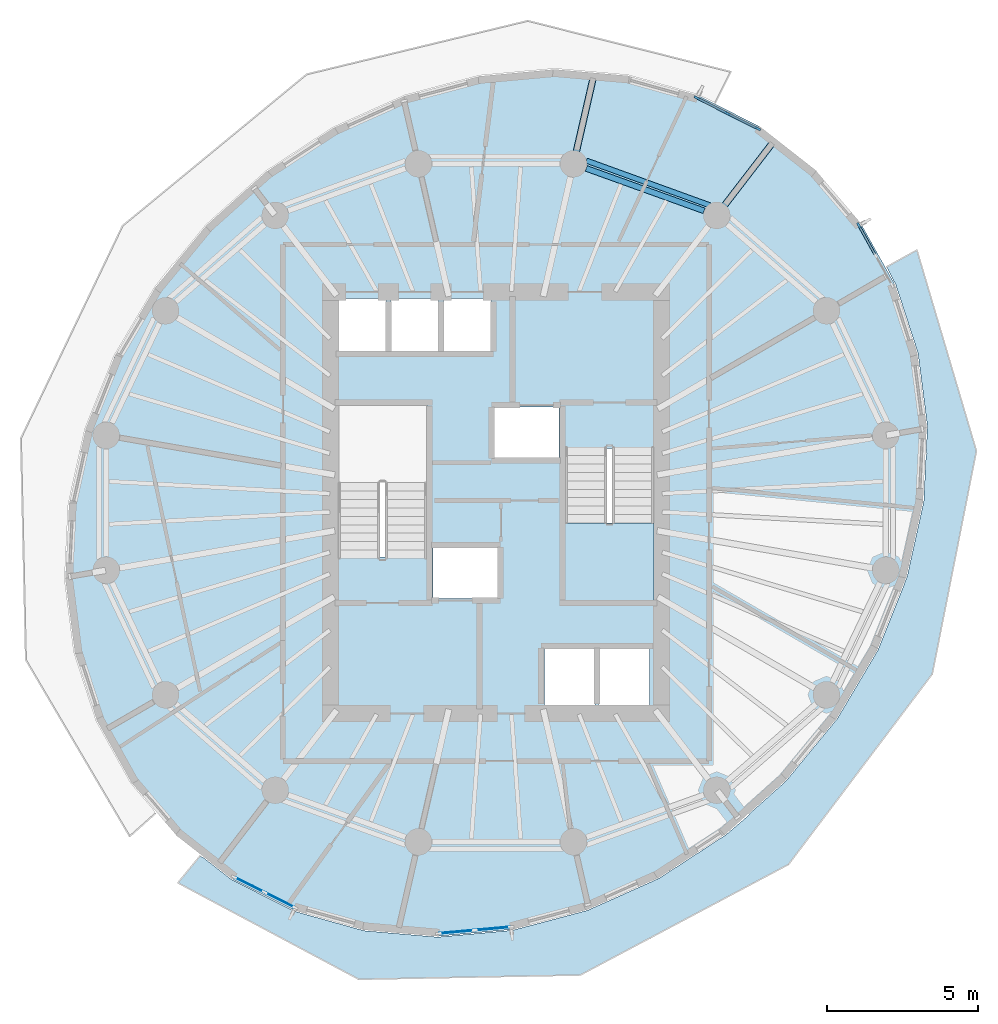
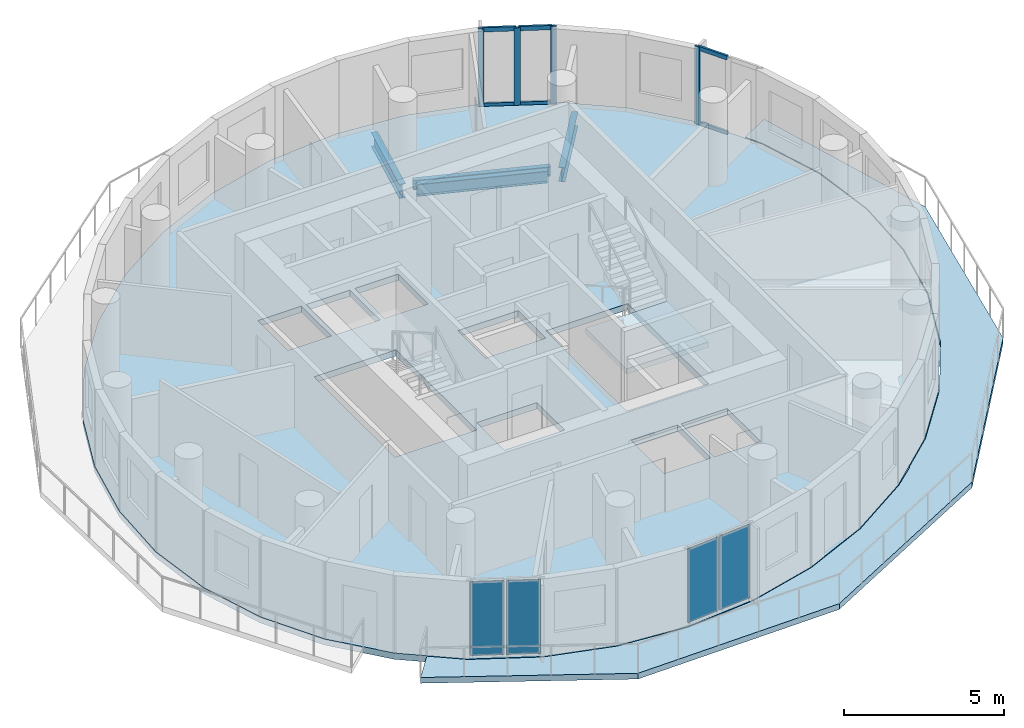
# One storey, part 3 of 10: 10 members, 4 beams, 4 plates, 3 slabs, 5 elements without a shape of their own.
"""IFC4 building model written with IfcOpenShell, lengths in metres."""

from ifc_helpers import new_model, si_unit, direction, frame, origin, origin_2d, place, context, subcontext, project, spatial, polyline, rectangle, i_section, outline, extrude, material, layer, layer_set, material_profile, profile_set, type_object, element, aggregate, save


model = new_model("IFC4")

# Units and contexts
model_context = context("Model", 3, precision=1e-05, world=origin(), true_north=direction((0.0, 1.0)))
body_context = subcontext(model_context, "Body", "Model", "MODEL_VIEW")
ifc_project = project(units=[si_unit("LENGTHUNIT", "METRE"), si_unit("AREAUNIT", "SQUARE_METRE"), si_unit("VOLUMEUNIT", "CUBIC_METRE"), si_unit("PLANEANGLEUNIT", "RADIAN"), si_unit("MASSUNIT", "GRAM", prefix="KILO")], contexts=[model_context])

# Site, building, storey
site_placement = place(None, origin())
site = spatial("IfcSite", under=ifc_project, at=site_placement, CompositionType="ELEMENT")
building_placement = place(site_placement, origin())
building = spatial("IfcBuilding", under=site, at=building_placement, Name="Veldorim Arch Residences", CompositionType="ELEMENT")
storey_placement = place(building_placement, frame((0.0, 0.0, 191.840087890625)))
storey = spatial("IfcBuildingStorey", under=building, at=storey_placement, Name="L57", CompositionType="ELEMENT", Elevation=191.840087890625)

# Beams
ifc_material_1 = material(Name="Steel S355", Category="steel")
ifc_material_profile_1 = material_profile(ifc_material_1, i_section(OverallWidth=0.2119140625, OverallDepth=0.54443359375, WebThickness=0.0126953125, FlangeThickness=0.021240234375, at=origin_2d()), Name="UB533x210x122")
ifc_profile_set_1 = profile_set([ifc_material_profile_1], Name="Steel S355")
beam_type_1 = type_object("IfcBeamType", Name="Structural Steel Beam UB533x210x122", PredefinedType="BEAM", material=ifc_profile_set_1)
beam_1_placement = place(storey_placement, frame((39.345703125, 33.561279296875, -0.512451171875), z_axis=(0.609236633361, 0.792988476947, 0.0), x_axis=(-0.792988476947, 0.609236633361, 0.0)))
element("IfcBeam", 1, at=beam_1_placement, inside=storey, type_object=beam_type_1, Name="L57 radial edge cantilever girder 03", PredefinedType="BEAM", context=body_context, shape_type="SweptSolid", body=[
    extrude(i_section(OverallWidth=0.2119140625, OverallDepth=0.54443359375, WebThickness=0.0126953125, FlangeThickness=0.021240234375, at=origin_2d()), origin(), (0.0, 0.0, 1.0), 3.08642578125),
])
beam_2_placement = place(storey_placement, frame((34.57958984375, 35.27880859375, -0.512451171875), z_axis=(0.222962695029, 0.974826977789, 0.0), x_axis=(-0.974826977789, 0.222962695029, 0.0)))
element("IfcBeam", 2, at=beam_2_placement, inside=storey, type_object=beam_type_1, Name="L57 radial edge cantilever girder 04", PredefinedType="BEAM", context=body_context, shape_type="SweptSolid", body=[
    extrude(i_section(OverallWidth=0.2119140625, OverallDepth=0.54443359375, WebThickness=0.0126953125, FlangeThickness=0.021240234375, at=origin_2d()), origin(), (0.0, 0.0, 1.0), 2.98046875),
])
ifc_material_2 = material(Name="Steel S355", Category="steel")
ifc_material_profile_2 = material_profile(ifc_material_2, i_section(OverallWidth=0.172119140625, OverallDepth=0.35791015625, WebThickness=0.008056640625, FlangeThickness=0.012939453125, at=origin_2d()), Name="UB356x171x57")
ifc_profile_set_2 = profile_set([ifc_material_profile_2], Name="Steel S355")
beam_type_2 = type_object("IfcBeamType", Name="Structural Steel Spandrel UB356x171x57", PredefinedType="SPANDREL", material=ifc_profile_set_2)
beam_3_placement = place(storey_placement, frame((39.112060546875, 33.87646484375, -0.439208984375), z_axis=(-0.940164695555, 0.340720332871, 0.0), x_axis=(-0.340720332871, -0.940164695555, 0.0)))
element("IfcBeam", 3, at=beam_3_placement, inside=storey, type_object=beam_type_2, Name="L57 perimeter chord spandrel beam 03", PredefinedType="SPANDREL", context=body_context, shape_type="SweptSolid", body=[
    extrude(i_section(OverallWidth=0.172119140625, OverallDepth=0.35791015625, WebThickness=0.008056640625, FlangeThickness=0.012939453125, at=origin_2d()), origin(), (0.0, 0.0, 1.0), 4.370849609375),
])
ifc_material_3 = material(Name="Steel S355", Category="steel")
ifc_material_profile_3 = material_profile(ifc_material_3, i_section(OverallWidth=0.19140625, OverallDepth=0.4599609375, WebThickness=0.010009765625, FlangeThickness=0.01611328125, at=origin_2d()), Name="UB457x191x82")
ifc_profile_set_3 = profile_set([ifc_material_profile_3], Name="Steel S355")
beam_type_3 = type_object("IfcBeamType", Name="Structural Steel Spandrel UB457x191x82", PredefinedType="SPANDREL", material=ifc_profile_set_3)
beam_4_placement = place(storey_placement, frame((38.91015625, 33.69775390625, -0.469970703125), z_axis=(-0.940811035395, 0.338931550137, 0.0), x_axis=(-0.338931550137, -0.940811035395, 0.0)))
element("IfcBeam", 4, at=beam_4_placement, inside=storey, type_object=beam_type_3, Name="L57 perimeter ring tie beam 03", PredefinedType="SPANDREL", context=body_context, shape_type="SweptSolid", body=[
    extrude(i_section(OverallWidth=0.19140625, OverallDepth=0.4599609375, WebThickness=0.010009765625, FlangeThickness=0.01611328125, at=origin_2d()), origin(), (0.0, 0.0, 1.0), 4.15771484375),
])

# Curtain wall, members
ifc_material_4 = material(Name="Aluminium", Category="aluminium")
curtain_wall_type = type_object("IfcCurtainWallType", Name="Zone 4 High-Altitude Unitised Curtain Wall", PredefinedType="NOTDEFINED", material=ifc_material_4)
curtain_wall_1_placement = place(storey_placement, origin())
curtain_wall_1 = element("IfcCurtainWall", 5, at=curtain_wall_1_placement, inside=storey, type_object=curtain_wall_type, Name="L57 unitised curtain wall bay 02", PredefinedType="NOTDEFINED")
ifc_material_5 = material(Name="Aluminium", Category="aluminium")
ifc_material_profile_4 = material_profile(ifc_material_5, rectangle(XDim=0.074951171875, YDim=0.195068359375, at=origin_2d()), Name="ALU_MUL_75x195")
ifc_profile_set_4 = profile_set([ifc_material_profile_4], Name="Aluminium")
member_type_1 = type_object("IfcMemberType", Name="Zone 4 High-Altitude Unitised Curtain Wall Mullion 75x195", PredefinedType="MULLION", material=ifc_profile_set_4)
member_1_placement = place(storey_placement, frame((38.669189453125, 37.446533203125, 0.0), z_axis=(0.0, 0.0, 1.0), x_axis=(0.448866145175, 0.893599006107, 0.0)))
member_1 = element("IfcMember", 6, at=member_1_placement, type_object=member_type_1, Name="CW-Z4 mullion 1", PredefinedType="MULLION", context=body_context, shape_type="SweptSolid", body=[
    extrude(rectangle(XDim=0.074951171875, YDim=0.195068359375, at=origin_2d()), origin(), (0.0, 0.0, 1.0), 2.9599609375),
])
member_2_placement = place(storey_placement, frame((39.68408203125, 36.9365234375, 0.0), z_axis=(0.0, 0.0, 1.0), x_axis=(0.448866145175, 0.893599006107, 0.0)))
member_2 = element("IfcMember", 7, at=member_2_placement, type_object=member_type_1, Name="CW-Z4 mullion 2", PredefinedType="MULLION", context=body_context, shape_type="SweptSolid", body=[
    extrude(rectangle(XDim=0.074951171875, YDim=0.195068359375, at=origin_2d()), origin(), (0.0, 0.0, 1.0), 2.9599609375),
])
member_3_placement = place(storey_placement, frame((40.69921875, 36.4267578125, 0.0), z_axis=(0.0, 0.0, 1.0), x_axis=(0.448866145175, 0.893599006107, 0.0)))
member_3 = element("IfcMember", 8, at=member_3_placement, type_object=member_type_1, Name="CW-Z4 mullion 3", PredefinedType="MULLION", context=body_context, shape_type="SweptSolid", body=[
    extrude(rectangle(XDim=0.074951171875, YDim=0.195068359375, at=origin_2d()), origin(), (0.0, 0.0, 1.0), 2.9599609375),
])

# Curtain wall, member
curtain_wall_2_placement = place(storey_placement, origin())
curtain_wall_2 = element("IfcCurtainWall", 9, at=curtain_wall_2_placement, inside=storey, type_object=curtain_wall_type, Name="L57 unitised curtain wall bay 35", PredefinedType="NOTDEFINED")
member_4_placement = place(storey_placement, frame((44.051513671875, 33.2119140625, 0.0), z_axis=(0.0, 0.0, 1.0), x_axis=(0.874022577874, 0.485885308861, 0.0)))
member_4 = element("IfcMember", 10, at=member_4_placement, type_object=member_type_1, Name="CW-Z4 mullion 1", PredefinedType="MULLION", context=body_context, shape_type="SweptSolid", body=[
    extrude(rectangle(XDim=0.074951171875, YDim=0.195068359375, at=origin_2d()), origin(), (0.0, 0.0, 1.0), 2.9599609375),
])

# Member
ifc_material_6 = material(Name="Aluminium", Category="aluminium")
ifc_material_profile_5 = material_profile(ifc_material_6, rectangle(XDim=0.074951171875, YDim=0.1650390625, at=origin_2d()), Name="ALU_TRN_75x165")
ifc_profile_set_5 = profile_set([ifc_material_profile_5], Name="Aluminium")
member_type_2 = type_object("IfcMemberType", Name="Zone 4 High-Altitude Unitised Curtain Wall Transom 75x165", PredefinedType="USERDEFINED", material=ifc_profile_set_5)
member_5_placement = place(storey_placement, frame((38.70263671875, 37.4296875, 0.037353515625), z_axis=(0.89355102998, -0.448961642929, 0.0), x_axis=(0.448961642929, 0.89355102998, 0.0)))
member_5 = element("IfcMember", 11, at=member_5_placement, type_object=member_type_2, Name="CW-Z4 transom 1.1", ObjectType="TRANSOM", PredefinedType="USERDEFINED", context=body_context, shape_type="SweptSolid", body=[
    extrude(rectangle(XDim=0.074951171875, YDim=0.1650390625, at=origin_2d()), origin(), (0.0, 0.0, 1.0), 1.06103515625),
])

member_6_placement = place(storey_placement, frame((38.70263671875, 37.4296875, 2.92236328125), z_axis=(0.89355102998, -0.448961642929, 0.0), x_axis=(0.448961642929, 0.89355102998, 0.0)))
member_6 = element("IfcMember", 12, at=member_6_placement, type_object=member_type_2, Name="CW-Z4 transom 1.2", ObjectType="TRANSOM", PredefinedType="USERDEFINED", context=body_context, shape_type="SweptSolid", body=[
    extrude(rectangle(XDim=0.074951171875, YDim=0.1650390625, at=origin_2d()), origin(), (0.0, 0.0, 1.0), 1.06103515625),
])

member_7_placement = place(storey_placement, frame((39.7177734375, 36.919677734375, 0.037353515625), z_axis=(0.893643337386, -0.448777879965, 0.0), x_axis=(0.448777879965, 0.893643337386, 0.0)))
member_7 = element("IfcMember", 13, at=member_7_placement, type_object=member_type_2, Name="CW-Z4 transom 2.1", ObjectType="TRANSOM", PredefinedType="USERDEFINED", context=body_context, shape_type="SweptSolid", body=[
    extrude(rectangle(XDim=0.074951171875, YDim=0.1650390625, at=origin_2d()), origin(), (0.0, 0.0, 1.0), 1.060791015625),
])

member_8_placement = place(storey_placement, frame((39.7177734375, 36.919677734375, 2.92236328125), z_axis=(0.893643337386, -0.448777879965, 0.0), x_axis=(0.448777879965, 0.893643337386, 0.0)))
member_8 = element("IfcMember", 14, at=member_8_placement, type_object=member_type_2, Name="CW-Z4 transom 2.2", ObjectType="TRANSOM", PredefinedType="USERDEFINED", context=body_context, shape_type="SweptSolid", body=[
    extrude(rectangle(XDim=0.074951171875, YDim=0.1650390625, at=origin_2d()), origin(), (0.0, 0.0, 1.0), 1.060791015625),
])

aggregate(curtain_wall_1, [member_1, member_2, member_3, member_5, member_6, member_7, member_8])

member_9_placement = place(storey_placement, frame((44.06982421875, 33.17919921875, 0.037353515625), z_axis=(0.485818780603, -0.874059558848, 0.0), x_axis=(0.874059558848, 0.485818780603, 0.0)))
member_9 = element("IfcMember", 15, at=member_9_placement, type_object=member_type_2, Name="CW-Z4 transom 1.1", ObjectType="TRANSOM", PredefinedType="USERDEFINED", context=body_context, shape_type="SweptSolid", body=[
    extrude(rectangle(XDim=0.074951171875, YDim=0.1650390625, at=origin_2d()), origin(), (0.0, 0.0, 1.0), 1.060791015625),
])

member_10_placement = place(storey_placement, frame((44.06982421875, 33.17919921875, 2.92236328125), z_axis=(0.485818780603, -0.874059558848, 0.0), x_axis=(0.874059558848, 0.485818780603, 0.0)))
member_10 = element("IfcMember", 16, at=member_10_placement, type_object=member_type_2, Name="CW-Z4 transom 1.2", ObjectType="TRANSOM", PredefinedType="USERDEFINED", context=body_context, shape_type="SweptSolid", body=[
    extrude(rectangle(XDim=0.074951171875, YDim=0.1650390625, at=origin_2d()), origin(), (0.0, 0.0, 1.0), 1.060791015625),
])

aggregate(curtain_wall_2, [member_4, member_9, member_10])

# Slab
ifc_material_7 = material(Name="Concrete C40/50", Category="concrete")
ifc_layer_1 = layer(ifc_material_7, 0.219970703125, Name="Planted Crescent Cantilever Balcony Slab 220")
ifc_layer_set_1 = layer_set([ifc_layer_1], Name="Concrete C40/50")
slab_type_1 = type_object("IfcSlabType", Name="Planted Crescent Cantilever Balcony Slab 220", PredefinedType="FLOOR", material=ifc_layer_set_1)
slab_1_placement = place(storey_placement, frame((0.0, 0.0, -0.219970703125)))
element("IfcSlab", 17, at=slab_1_placement, inside=storey, type_object=slab_type_1, Name="L57 planted crescent balcony slab B", PredefinedType="FLOOR", context=body_context, shape_type="SweptSolid", body=[
    extrude(outline(polyline([(22.285400390625, 12.21484375), (23.21337890625, 11.488525390625), (25.31494140625, 10.432861328125), (27.619384765625, 9.789794921875), (30.056884765625, 9.578369140625), (32.552978515625, 9.805419921875), (35.032470703125, 10.46337890625), (37.41943359375, 11.53271484375), (39.641845703125, 12.980712890625), (40.37158203125, 13.605224609375), (40.44677734375, 13.70166015625), (41.6318359375, 14.76318359375), (43.32958984375, 16.826416015625), (44.68310546875, 19.107421875), (45.651611328125, 21.537109375), (46.205322265625, 24.041748046875), (46.27783203125, 25.5263671875), (46.30859375, 25.648681640625), (46.288330078125, 25.74267578125), (46.32763671875, 26.54541015625), (46.014404296875, 28.9716796875), (45.275390625, 31.247314453125), (44.972900390625, 31.835693359375), (45.978515625, 32.393310546875), (47.95458984375, 25.723388671875), (46.487548828125, 18.31201171875), (41.7158203125, 11.99169921875), (34.799560546875, 8.318115234375), (27.44384765625, 8.176025390625), (21.435302734375, 11.379150390625), (22.165283203125, 12.267822265625), (22.285400390625, 12.21484375)])), origin(), (0.0, 0.0, 1.0), 0.219970703125),
])

# Stair, slab
ifc_material_8 = material(Name="Concrete C40/50", Category="concrete")
stair_type = type_object("IfcStairType", Name="Reinforced Concrete Dogleg Exit Staircase", PredefinedType="HALF_TURN_STAIR", material=ifc_material_8)
stair_placement = place(storey_placement, origin())
stair = element("IfcStair", 18, at=stair_placement, inside=storey, type_object=stair_type, Name="L57 Exit Staircase ST-2", PredefinedType="HALF_TURN_STAIR")
ifc_material_9 = material(Name="Concrete C40/50", Category="concrete")
ifc_layer_2 = layer(ifc_material_9, 0.199951171875, Name="Reinforced Concrete Stair Landing 200")
ifc_layer_set_2 = layer_set([ifc_layer_2], Name="Concrete C40/50")
slab_type_2 = type_object("IfcSlabType", Name="Reinforced Concrete Stair Landing 200", PredefinedType="LANDING", material=ifc_layer_set_2)
slab_2_placement = place(storey_placement, frame((0.0, 0.0, 1.39990234375)))
slab_2 = element("IfcSlab", 19, at=slab_2_placement, type_object=slab_type_2, Name="ST-2 landing 1", PredefinedType="LANDING", context=body_context, shape_type="SweptSolid", body=[
    extrude(outline(polyline([(34.2900390625, 23.330078125), (34.2900390625, 20.75), (37.25, 20.75), (37.25, 23.330078125), (34.2900390625, 23.330078125)])), origin(), (0.0, 0.0, 1.0), 0.199951171875),
])
aggregate(stair, [slab_2])

# Slab
ifc_material_10 = material(Name="Concrete C40/50", Category="concrete")
ifc_layer_3 = layer(ifc_material_10, 0.239990234375, Name="Typical Residential Floor Slab 240")
ifc_layer_set_3 = layer_set([ifc_layer_3], Name="Concrete C40/50")
slab_type_3 = type_object("IfcSlabType", Name="Typical Residential Floor Slab 240", PredefinedType="FLOOR", material=ifc_layer_set_3)
slab_3_placement = place(storey_placement, frame((0.0, 0.0, -0.239990234375)))
element("IfcSlab", 20, at=slab_3_placement, inside=storey, type_object=slab_type_3, Name="L57 tower structural floor slab", PredefinedType="FLOOR", context=body_context, shape_type="SweptSolid", body=[
    extrude(outline(polyline([(42.603515625, 35.057373046875), (40.773193359375, 36.490234375), (38.676025390625, 37.543701171875), (36.376220703125, 38.185546875), (33.943115234375, 38.396484375), (31.451416015625, 38.169921875), (28.97607421875, 37.512939453125), (26.592529296875, 36.4453125), (24.37353515625, 34.99951171875), (22.38623046875, 33.21923828125), (20.69091796875, 31.1591796875), (19.33935546875, 28.881591796875), (18.372314453125, 26.45556640625), (17.819580078125, 23.954833984375), (17.697509765625, 21.45556640625), (18.010009765625, 19.03369140625), (18.747802734375, 16.7626953125), (19.887939453125, 14.71142578125), (21.396484375, 12.942626953125), (23.226806640625, 11.509765625), (25.323974609375, 10.456298828125), (27.623779296875, 9.814453125), (30.056884765625, 9.603515625), (32.548583984375, 9.830078125), (35.02392578125, 10.487060546875), (37.407470703125, 11.5546875), (39.62646484375, 13.00048828125), (41.61376953125, 14.78076171875), (43.30908203125, 16.8408203125), (44.66064453125, 19.118408203125), (45.627685546875, 21.54443359375), (46.180419921875, 24.045166015625), (46.302490234375, 26.54443359375), (45.989990234375, 28.96630859375), (45.252197265625, 31.2373046875), (44.112060546875, 33.28857421875), (42.603515625, 35.057373046875)]), holes=[polyline([(33.610107421875, 17.2099609375), (33.610107421875, 19.2900390625), (35.2900390625, 19.2900390625), (35.2900390625, 17.2099609375), (33.610107421875, 17.2099609375)]), polyline([(35.409912109375, 17.2099609375), (35.409912109375, 19.2900390625), (37.090087890625, 19.2900390625), (37.090087890625, 17.2099609375), (35.409912109375, 17.2099609375)]), polyline([(29.909912109375, 20.81494140625), (29.909912109375, 22.544921875), (32.090087890625, 22.544921875), (32.090087890625, 20.81494140625), (29.909912109375, 20.81494140625)]), polyline([(34.2900390625, 20.75), (34.2900390625, 25.804931640625), (37.25, 25.804931640625), (37.25, 20.75), (34.2900390625, 20.75)]), polyline([(26.75, 22.195068359375), (26.75, 27.25), (29.7099609375, 27.25), (29.7099609375, 22.195068359375), (26.75, 22.195068359375)]), polyline([(31.909912109375, 25.455078125), (31.909912109375, 27.18505859375), (34.090087890625, 27.18505859375), (34.090087890625, 25.455078125), (31.909912109375, 25.455078125)]), polyline([(26.760009765625, 28.909912109375), (26.760009765625, 30.7900390625), (28.340087890625, 30.7900390625), (28.340087890625, 28.909912109375), (26.760009765625, 28.909912109375)]), polyline([(28.510009765625, 30.7900390625), (30.090087890625, 30.7900390625), (30.090087890625, 28.909912109375), (28.510009765625, 28.909912109375), (28.510009765625, 30.7900390625)]), polyline([(30.260009765625, 30.7900390625), (31.840087890625, 30.7900390625), (31.840087890625, 28.909912109375), (30.260009765625, 28.909912109375), (30.260009765625, 30.7900390625)])]), origin(), (0.0, 0.0, 1.0), 0.239990234375),
])

# Curtain wall, plates
curtain_wall_3_placement = place(storey_placement, origin())
curtain_wall_3 = element("IfcCurtainWall", 21, at=curtain_wall_3_placement, inside=storey, type_object=curtain_wall_type, Name="L57 unitised curtain wall bay 20", PredefinedType="NOTDEFINED")
ifc_material_11 = material(Name="Laminated Low-E Glass", Category="glass")
ifc_layer_4 = layer(ifc_material_11, 0.030029296875, Name="Zone 4 High-Altitude Unitised Curtain Wall Glazing Panel 30")
ifc_layer_set_4 = layer_set([ifc_layer_4], Name="Laminated Low-E Glass")
plate_type = type_object("IfcPlateType", Name="Zone 4 High-Altitude Unitised Curtain Wall Glazing Panel 30", PredefinedType="CURTAIN_PANEL", material=ifc_layer_set_4)
plate_1_placement = place(storey_placement, frame((24.823486328125, 10.808349609375, 0.074951171875), z_axis=(0.0, 0.0, 1.0), x_axis=(-0.893599006107, 0.448866145175, 0.0)))
plate_1 = element("IfcPlate", 22, at=plate_1_placement, type_object=plate_type, Name="CW-Z4 panel 1.1", PredefinedType="CURTAIN_PANEL", context=body_context, shape_type="SweptSolid", body=[
    extrude(rectangle(XDim=1.060791015625, YDim=0.030029296875, at=origin_2d()), origin(), (0.0, 0.0, 1.0), 2.81005859375),
])
plate_2_placement = place(storey_placement, frame((23.808349609375, 11.318359375, 0.074951171875), z_axis=(0.0, 0.0, 1.0), x_axis=(-0.893599006107, 0.448866145175, 0.0)))
plate_2 = element("IfcPlate", 23, at=plate_2_placement, type_object=plate_type, Name="CW-Z4 panel 2.1", PredefinedType="CURTAIN_PANEL", context=body_context, shape_type="SweptSolid", body=[
    extrude(rectangle(XDim=1.060791015625, YDim=0.030029296875, at=origin_2d()), origin(), (0.0, 0.0, 1.0), 2.81005859375),
])
aggregate(curtain_wall_3, [plate_1, plate_2])

curtain_wall_4_placement = place(storey_placement, origin())
curtain_wall_4 = element("IfcCurtainWall", 24, at=curtain_wall_4_placement, inside=storey, type_object=curtain_wall_type, Name="L57 unitised curtain wall bay 23", PredefinedType="NOTDEFINED")
plate_3_placement = place(storey_placement, frame((31.89892578125, 9.861328125, 0.074951171875), z_axis=(0.0, 0.0, 1.0), x_axis=(-0.9958945167, -0.090521332333, 0.0)))
plate_3 = element("IfcPlate", 25, at=plate_3_placement, type_object=plate_type, Name="CW-Z4 panel 1.1", PredefinedType="CURTAIN_PANEL", context=body_context, shape_type="SweptSolid", body=[
    extrude(rectangle(XDim=1.138671875, YDim=0.030029296875, at=origin_2d()), origin(), (0.0, 0.0, 1.0), 2.81005859375),
])
plate_4_placement = place(storey_placement, frame((30.6904296875, 9.75146484375, 0.074951171875), z_axis=(0.0, 0.0, 1.0), x_axis=(-0.9958945167, -0.090521332333, 0.0)))
plate_4 = element("IfcPlate", 26, at=plate_4_placement, type_object=plate_type, Name="CW-Z4 panel 2.1", PredefinedType="CURTAIN_PANEL", context=body_context, shape_type="SweptSolid", body=[
    extrude(rectangle(XDim=1.138671875, YDim=0.030029296875, at=origin_2d()), origin(), (0.0, 0.0, 1.0), 2.81005859375),
])
aggregate(curtain_wall_4, [plate_3, plate_4])

save(model, "model.ifc")
